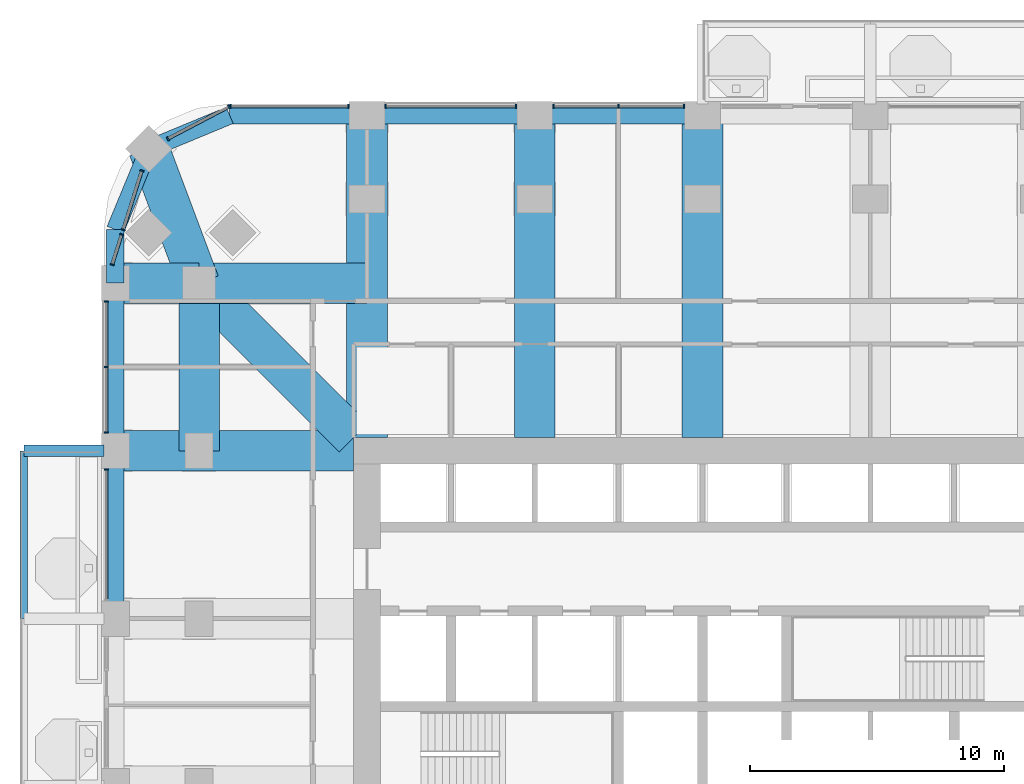
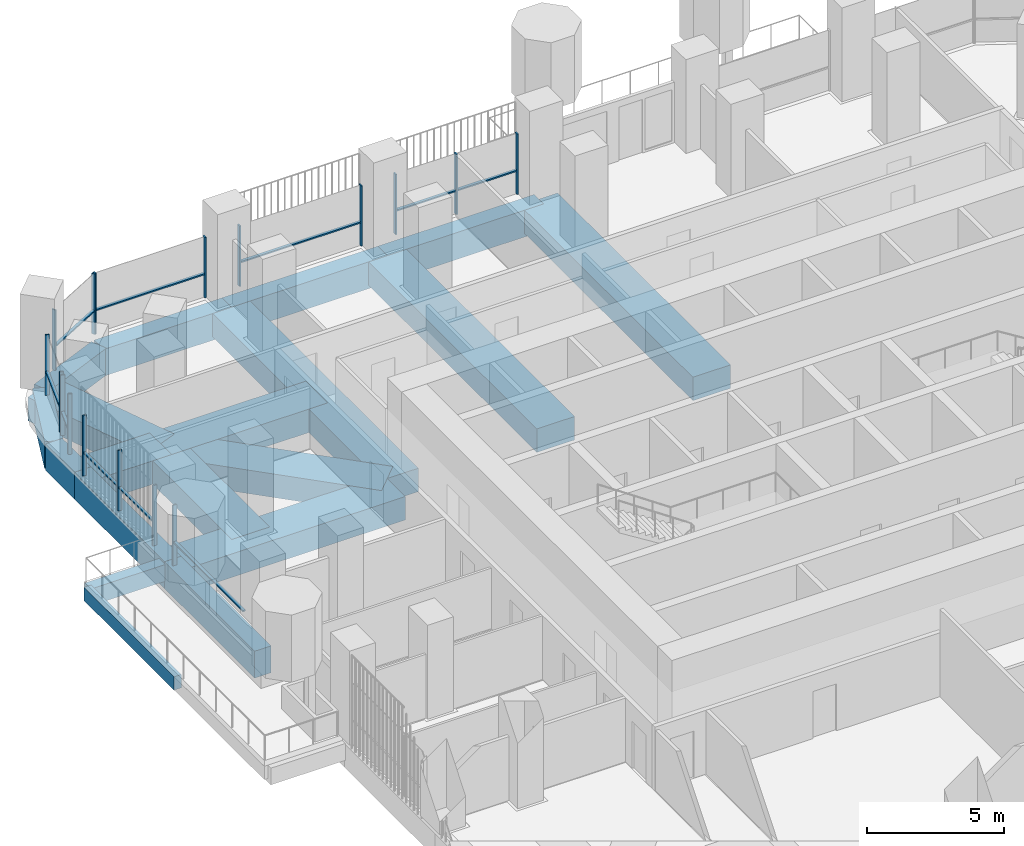
# One storey, part 6 of 23: 27 members, 19 beams, 8 elements without a shape of their own.
"""IFC4 building model written with IfcOpenShell, lengths in metres."""

from ifc_helpers import new_model, si_unit, direction, frame, origin, origin_2d, place, context, subcontext, project, spatial, rectangle, extrude, material, material_profile, profile_set, type_object, element, aggregate, save


model = new_model("IFC4")

# Units and contexts
model_context = context("Model", 3, precision=1e-05, world=origin(), true_north=direction((0.0, 1.0)))
body_context = subcontext(model_context, "Body", "Model", "MODEL_VIEW")
ifc_project = project(units=[si_unit("LENGTHUNIT", "METRE"), si_unit("AREAUNIT", "SQUARE_METRE"), si_unit("VOLUMEUNIT", "CUBIC_METRE"), si_unit("PLANEANGLEUNIT", "RADIAN"), si_unit("MASSUNIT", "GRAM", prefix="KILO")], contexts=[model_context])

# Site, building, storey
site_placement = place(None, origin())
site = spatial("IfcSite", under=ifc_project, at=site_placement, CompositionType="ELEMENT")
building_placement = place(site_placement, origin())
building = spatial("IfcBuilding", under=site, at=building_placement, Name="Cobogo Forest Laboratory Tower", CompositionType="ELEMENT")
storey_placement = place(building_placement, frame((0.0, 0.0, 128.39990234375)))
storey = spatial("IfcBuildingStorey", under=building, at=storey_placement, Name="L29", CompositionType="ELEMENT", Elevation=128.39990234375)

# Beams
ifc_material_1 = material(Name="Concrete HA-40 (C40/50)", Category="concrete")
ifc_material_profile_1 = material_profile(ifc_material_1, rectangle(XDim=0.449951171875, YDim=0.75, at=origin_2d()), Name="RC 450x750")
ifc_profile_set_1 = profile_set([ifc_material_profile_1], Name="Concrete HA-40 (C40/50)")
beam_type_1 = type_object("IfcBeamType", Name="Balcony cantilever beam 450x750", PredefinedType="BEAM", material=ifc_profile_set_1)
beam_1_placement = place(storey_placement, frame((2.85009765625, 33.0, -0.625), z_axis=(-1.0, 0.0, 0.0), x_axis=(0.0, -1.0, 0.0)))
element("IfcBeam", 1, at=beam_1_placement, inside=storey, type_object=beam_type_1, Name="CB1 BAL-W1-C3 L29", PredefinedType="BEAM", context=body_context, shape_type="SweptSolid", body=[
    extrude(rectangle(XDim=0.449951171875, YDim=0.75, at=origin_2d()), origin(), (0.0, 0.0, 1.0), 3.150146484375),
])
ifc_material_profile_2 = material_profile(ifc_material_1, rectangle(XDim=0.300048828125, YDim=0.60009765625, at=origin_2d()), Name="RC 300x600")
ifc_profile_set_2 = profile_set([ifc_material_profile_2], Name="Concrete HA-40 (C40/50)")
beam_type_2 = type_object("IfcBeamType", Name="Balcony edge beam 300x600", PredefinedType="BEAM", material=ifc_profile_set_2)
beam_2_placement = place(storey_placement, frame((-0.300048828125, 26.39990234375, -0.5498046875), z_axis=(0.0, 1.0, 0.0), x_axis=(-1.0, 0.0, 0.0)))
element("IfcBeam", 2, at=beam_2_placement, inside=storey, type_object=beam_type_2, Name="BB1 BAL-W1-T2 L29", PredefinedType="BEAM", context=body_context, shape_type="SweptSolid", body=[
    extrude(rectangle(XDim=0.300048828125, YDim=0.60009765625, at=origin_2d()), origin(), (0.0, 0.0, 1.0), 6.60009765625),
])
ifc_material_2 = material(Name="Concrete HA-50 (C50/60)", Category="concrete")
ifc_material_profile_3 = material_profile(ifc_material_2, rectangle(XDim=1.60009765625, YDim=1.050048828125, at=origin_2d()), Name="RC 1600x1050")
ifc_profile_set_3 = profile_set([ifc_material_profile_3], Name="Concrete HA-50 (C50/60)")
beam_type_3 = type_object("IfcBeamType", Name="Laboratory floor wide beam 1600x1050", PredefinedType="BEAM", material=ifc_profile_set_3)
for number, where, z_axis, x_axis, name in (
    (3, (13.199951171875, 33.52490234375, -0.824951171875), (0.0, 1.0, 0.0), (-1.0, 0.0, 0.0), "RB8 R-3-N L29"),
    (4, (19.800048828125, 33.52490234375, -0.824951171875), (0.0, 1.0, 0.0), (-1.0, 0.0, 0.0), "RB8 R-4-N L29"),
    (5, (26.39990234375, 33.52490234375, -0.824951171875), (0.0, 1.0, 0.0), (-1.0, 0.0, 0.0), "RB8 R-5-N L29"),
):
    element("IfcBeam", number, at=place(storey_placement, frame(where, z_axis=z_axis, x_axis=x_axis)), inside=storey, type_object=beam_type_3, Name=name, PredefinedType="BEAM", context=body_context, shape_type="SweptSolid", body=[
        extrude(rectangle(XDim=1.60009765625, YDim=1.050048828125, at=origin_2d()), origin(), (0.0, 0.0, 1.0), 12.675048828125),
    ])
beam_3_placement = place(storey_placement, frame((12.675048828125, 33.0, -0.824951171875), z_axis=(-1.0, 0.0, 0.0), x_axis=(0.0, -1.0, 0.0)))
element("IfcBeam", 6, at=beam_3_placement, inside=storey, type_object=beam_type_3, Name="RB8 R-F-W L29", PredefinedType="BEAM", context=body_context, shape_type="SweptSolid", body=[
    extrude(rectangle(XDim=1.60009765625, YDim=1.050048828125, at=origin_2d()), origin(), (0.0, 0.0, 1.0), 9.375),
])
beam_4_placement = place(storey_placement, frame((6.60009765625, 39.60009765625, -0.824951171875), z_axis=(0.0, -1.0, 0.0), x_axis=(1.0, 0.0, 0.0)))
element("IfcBeam", 7, at=beam_4_placement, inside=storey, type_object=beam_type_3, Name="RB8 G-NW-XC L29", PredefinedType="BEAM", context=body_context, shape_type="SweptSolid", body=[
    extrude(rectangle(XDim=1.60009765625, YDim=1.050048828125, at=origin_2d()), origin(), (0.0, 0.0, 1.0), 6.60009765625),
])
beam_5_placement = place(storey_placement, frame((3.300048828125, 39.60009765625, -0.824951171875), z_axis=(1.0, 0.0, 0.0), x_axis=(0.0, 1.0, 0.0)))
element("IfcBeam", 8, at=beam_5_placement, inside=storey, type_object=beam_type_3, Name="RB8 G-NW-YF L29", PredefinedType="BEAM", context=body_context, shape_type="SweptSolid", body=[
    extrude(rectangle(XDim=1.60009765625, YDim=1.050048828125, at=origin_2d()), origin(), (0.0, 0.0, 1.0), 3.300048828125),
])
beam_6_placement = place(storey_placement, frame((6.60009765625, 39.60009765625, -0.824951171875), z_axis=(1.0, 0.0, 0.0), x_axis=(0.0, 1.0, 0.0)))
element("IfcBeam", 9, at=beam_6_placement, inside=storey, type_object=beam_type_3, Name="RB8 G-NW-YC L29", PredefinedType="BEAM", context=body_context, shape_type="SweptSolid", body=[
    extrude(rectangle(XDim=1.60009765625, YDim=1.050048828125, at=origin_2d()), origin(), (0.0, 0.0, 1.0), 6.599853515625),
])
beam_7_placement = place(storey_placement, frame((4.617919921875, 44.882080078125, -0.824951171875), z_axis=(0.351346325373, -0.936245565889, 0.0), x_axis=(0.936245565889, 0.351346325373, 0.0)))
element("IfcBeam", 10, at=beam_7_placement, inside=storey, type_object=beam_type_3, Name="RB8 G-NW-D1 L29", PredefinedType="BEAM", context=body_context, shape_type="SweptSolid", body=[
    extrude(rectangle(XDim=1.60009765625, YDim=1.050048828125, at=origin_2d()), origin(), (0.0, 0.0, 1.0), 5.6416015625),
])
beam_8_placement = place(storey_placement, frame((6.60009765625, 39.60009765625, -0.824951171875), z_axis=(0.707092572697, -0.70712098939, 0.0), x_axis=(0.70712098939, 0.707092572697, 0.0)))
element("IfcBeam", 11, at=beam_8_placement, inside=storey, type_object=beam_type_3, Name="RB8 G-NW-D2 L29", PredefinedType="BEAM", context=body_context, shape_type="SweptSolid", body=[
    extrude(rectangle(XDim=1.60009765625, YDim=1.050048828125, at=origin_2d()), origin(), (0.0, 0.0, 1.0), 8.591552734375),
])

# Curtain wall, members
ifc_material_3 = material(Name="Aluminium curtain wall", Category="aluminium")
curtain_wall_type = type_object("IfcCurtainWallType", Name="CW-1 unitised curtain wall, clear glazing, laboratory floors zones A and B", PredefinedType="USERDEFINED", material=ifc_material_3)
curtain_wall_1_placement = place(storey_placement, origin())
curtain_wall_1 = element("IfcCurtainWall", 12, at=curtain_wall_1_placement, inside=storey, type_object=curtain_wall_type, Name="Curtain wall 21 L29", ObjectType="UNITISED CURTAIN WALL", PredefinedType="USERDEFINED")
ifc_material_4 = material(Name="Aluminium mullion", Category="aluminium")
ifc_material_profile_4 = material_profile(ifc_material_4, rectangle(XDim=0.06005859375, YDim=0.159912109375, at=origin_2d()), Name="AL 60x160")
ifc_profile_set_4 = profile_set([ifc_material_profile_4], Name="Aluminium mullion")
member_type_1 = type_object("IfcMemberType", Name="MU-1 aluminium mullion 60x160", PredefinedType="MULLION", material=ifc_profile_set_4)
member_1_placement = place(storey_placement, frame((25.669921875, 46.550048828125, 0.0), z_axis=(0.0, 0.0, 1.0), x_axis=(-1.0, 0.0, 0.0)))
member_1 = element("IfcMember", 13, at=member_1_placement, type_object=member_type_1, Name="CW-1 mullion 1", PredefinedType="MULLION", context=body_context, shape_type="SweptSolid", body=[
    extrude(rectangle(XDim=0.06005859375, YDim=0.159912109375, at=origin_2d()), origin(), (0.0, 0.0, 1.0), 2.7001953125),
])
member_2_placement = place(storey_placement, frame((23.10009765625, 46.550048828125, 0.0), z_axis=(0.0, 0.0, 1.0), x_axis=(-1.0, 0.0, 0.0)))
member_2 = element("IfcMember", 14, at=member_2_placement, type_object=member_type_1, Name="CW-1 mullion 2", PredefinedType="MULLION", context=body_context, shape_type="SweptSolid", body=[
    extrude(rectangle(XDim=0.06005859375, YDim=0.159912109375, at=origin_2d()), origin(), (0.0, 0.0, 1.0), 2.7001953125),
])
member_3_placement = place(storey_placement, frame((20.530029296875, 46.550048828125, 0.0), z_axis=(0.0, 0.0, 1.0), x_axis=(-1.0, 0.0, 0.0)))
member_3 = element("IfcMember", 15, at=member_3_placement, type_object=member_type_1, Name="CW-1 mullion 3", PredefinedType="MULLION", context=body_context, shape_type="SweptSolid", body=[
    extrude(rectangle(XDim=0.06005859375, YDim=0.159912109375, at=origin_2d()), origin(), (0.0, 0.0, 1.0), 2.7001953125),
])

curtain_wall_2_placement = place(storey_placement, origin())
curtain_wall_2 = element("IfcCurtainWall", 16, at=curtain_wall_2_placement, inside=storey, type_object=curtain_wall_type, Name="Curtain wall 22 L29", ObjectType="UNITISED CURTAIN WALL", PredefinedType="USERDEFINED")
member_4_placement = place(storey_placement, frame((19.070068359375, 46.550048828125, 0.0), z_axis=(0.0, 0.0, 1.0), x_axis=(-1.0, 0.0, 0.0)))
member_4 = element("IfcMember", 17, at=member_4_placement, type_object=member_type_1, Name="CW-1 mullion 1", PredefinedType="MULLION", context=body_context, shape_type="SweptSolid", body=[
    extrude(rectangle(XDim=0.06005859375, YDim=0.159912109375, at=origin_2d()), origin(), (0.0, 0.0, 1.0), 2.7001953125),
])
member_5_placement = place(storey_placement, frame((13.929931640625, 46.550048828125, 0.0), z_axis=(0.0, 0.0, 1.0), x_axis=(-1.0, 0.0, 0.0)))
member_5 = element("IfcMember", 18, at=member_5_placement, type_object=member_type_1, Name="CW-1 mullion 2", PredefinedType="MULLION", context=body_context, shape_type="SweptSolid", body=[
    extrude(rectangle(XDim=0.06005859375, YDim=0.159912109375, at=origin_2d()), origin(), (0.0, 0.0, 1.0), 2.7001953125),
])

curtain_wall_3_placement = place(storey_placement, origin())
curtain_wall_3 = element("IfcCurtainWall", 19, at=curtain_wall_3_placement, inside=storey, type_object=curtain_wall_type, Name="Curtain wall 23 L29", ObjectType="UNITISED CURTAIN WALL", PredefinedType="USERDEFINED")
member_6_placement = place(storey_placement, frame((12.469970703125, 46.550048828125, 0.0), z_axis=(0.0, 0.0, 1.0), x_axis=(-1.0, 0.0, 0.0)))
member_6 = element("IfcMember", 20, at=member_6_placement, type_object=member_type_1, Name="CW-1 mullion 1", PredefinedType="MULLION", context=body_context, shape_type="SweptSolid", body=[
    extrude(rectangle(XDim=0.06005859375, YDim=0.159912109375, at=origin_2d()), origin(), (0.0, 0.0, 1.0), 2.7001953125),
])
member_7_placement = place(storey_placement, frame((7.830078125, 46.550048828125, 0.0), z_axis=(0.0, 0.0, 1.0), x_axis=(-1.0, 0.0, 0.0)))
member_7 = element("IfcMember", 21, at=member_7_placement, type_object=member_type_1, Name="CW-1 mullion 2", PredefinedType="MULLION", context=body_context, shape_type="SweptSolid", body=[
    extrude(rectangle(XDim=0.06005859375, YDim=0.159912109375, at=origin_2d()), origin(), (0.0, 0.0, 1.0), 2.7001953125),
])

curtain_wall_4_placement = place(storey_placement, origin())
curtain_wall_4 = element("IfcCurtainWall", 22, at=curtain_wall_4_placement, inside=storey, type_object=curtain_wall_type, Name="Curtain wall 24 L29", ObjectType="UNITISED CURTAIN WALL", PredefinedType="USERDEFINED")
member_8_placement = place(storey_placement, frame((7.7734375, 46.5361328125, 0.0), z_axis=(0.0, 0.0, 1.0), x_axis=(-0.885686547075, -0.464283685186, 0.0)))
member_8 = element("IfcMember", 23, at=member_8_placement, type_object=member_type_1, Name="CW-1 mullion 1", PredefinedType="MULLION", context=body_context, shape_type="SweptSolid", body=[
    extrude(rectangle(XDim=0.06005859375, YDim=0.159912109375, at=origin_2d()), origin(), (0.0, 0.0, 1.0), 2.7001953125),
])
member_9_placement = place(storey_placement, frame((5.368408203125, 45.275390625, 0.0), z_axis=(0.0, 0.0, 1.0), x_axis=(-0.885686547075, -0.464283685186, 0.0)))
member_9 = element("IfcMember", 24, at=member_9_placement, type_object=member_type_1, Name="CW-1 mullion 2", PredefinedType="MULLION", context=body_context, shape_type="SweptSolid", body=[
    extrude(rectangle(XDim=0.06005859375, YDim=0.159912109375, at=origin_2d()), origin(), (0.0, 0.0, 1.0), 2.7001953125),
])

curtain_wall_5_placement = place(storey_placement, origin())
curtain_wall_5 = element("IfcCurtainWall", 25, at=curtain_wall_5_placement, inside=storey, type_object=curtain_wall_type, Name="Curtain wall 25 L29", ObjectType="UNITISED CURTAIN WALL", PredefinedType="USERDEFINED")
member_10_placement = place(storey_placement, frame((4.34423828125, 44.01513671875, 0.0), z_axis=(0.0, 0.0, 1.0), x_axis=(-0.301135291996, -0.953581425949, 0.0)))
member_10 = element("IfcMember", 26, at=member_10_placement, type_object=member_type_1, Name="CW-1 mullion 1", PredefinedType="MULLION", context=body_context, shape_type="SweptSolid", body=[
    extrude(rectangle(XDim=0.06005859375, YDim=0.159912109375, at=origin_2d()), origin(), (0.0, 0.0, 1.0), 2.7001953125),
])
member_11_placement = place(storey_placement, frame((3.613037109375, 41.69970703125, 0.0), z_axis=(0.0, 0.0, 1.0), x_axis=(-0.301135291996, -0.953581425949, 0.0)))
member_11 = element("IfcMember", 27, at=member_11_placement, type_object=member_type_1, Name="CW-1 mullion 2", PredefinedType="MULLION", context=body_context, shape_type="SweptSolid", body=[
    extrude(rectangle(XDim=0.06005859375, YDim=0.159912109375, at=origin_2d()), origin(), (0.0, 0.0, 1.0), 2.7001953125),
])

curtain_wall_6_placement = place(storey_placement, origin())
curtain_wall_6 = element("IfcCurtainWall", 28, at=curtain_wall_6_placement, inside=storey, type_object=curtain_wall_type, Name="Curtain wall 26 L29", ObjectType="UNITISED CURTAIN WALL", PredefinedType="USERDEFINED")
member_12_placement = place(storey_placement, frame((3.55224609375, 41.507080078125, 0.0), z_axis=(0.0, 0.0, 1.0), x_axis=(-0.301135356805, -0.953581405483, 0.0)))
member_12 = element("IfcMember", 29, at=member_12_placement, type_object=member_type_1, Name="CW-1 mullion 1", PredefinedType="MULLION", context=body_context, shape_type="SweptSolid", body=[
    extrude(rectangle(XDim=0.06005859375, YDim=0.159912109375, at=origin_2d()), origin(), (0.0, 0.0, 1.0), 2.7001953125),
])
member_13_placement = place(storey_placement, frame((3.18017578125, 40.32861328125, 0.0), z_axis=(0.0, 0.0, 1.0), x_axis=(-0.301135356805, -0.953581405483, 0.0)))
member_13 = element("IfcMember", 30, at=member_13_placement, type_object=member_type_1, Name="CW-1 mullion 2", PredefinedType="MULLION", context=body_context, shape_type="SweptSolid", body=[
    extrude(rectangle(XDim=0.06005859375, YDim=0.159912109375, at=origin_2d()), origin(), (0.0, 0.0, 1.0), 2.7001953125),
])

curtain_wall_7_placement = place(storey_placement, origin())
curtain_wall_7 = element("IfcCurtainWall", 31, at=curtain_wall_7_placement, inside=storey, type_object=curtain_wall_type, Name="Curtain wall 27 L29", ObjectType="UNITISED CURTAIN WALL", PredefinedType="USERDEFINED")
member_14_placement = place(storey_placement, frame((2.949951171875, 38.8701171875, 0.0), z_axis=(0.0, 0.0, 1.0), x_axis=(0.0, -1.0, 0.0)))
member_14 = element("IfcMember", 32, at=member_14_placement, type_object=member_type_1, Name="CW-1 mullion 1", PredefinedType="MULLION", context=body_context, shape_type="SweptSolid", body=[
    extrude(rectangle(XDim=0.06005859375, YDim=0.159912109375, at=origin_2d()), origin(), (0.0, 0.0, 1.0), 2.7001953125),
])
member_15_placement = place(storey_placement, frame((2.949951171875, 36.300048828125, 0.0), z_axis=(0.0, 0.0, 1.0), x_axis=(0.0, -1.0, 0.0)))
member_15 = element("IfcMember", 33, at=member_15_placement, type_object=member_type_1, Name="CW-1 mullion 2", PredefinedType="MULLION", context=body_context, shape_type="SweptSolid", body=[
    extrude(rectangle(XDim=0.06005859375, YDim=0.159912109375, at=origin_2d()), origin(), (0.0, 0.0, 1.0), 2.7001953125),
])
member_16_placement = place(storey_placement, frame((2.949951171875, 33.72998046875, 0.0), z_axis=(0.0, 0.0, 1.0), x_axis=(0.0, -1.0, 0.0)))
member_16 = element("IfcMember", 34, at=member_16_placement, type_object=member_type_1, Name="CW-1 mullion 3", PredefinedType="MULLION", context=body_context, shape_type="SweptSolid", body=[
    extrude(rectangle(XDim=0.06005859375, YDim=0.159912109375, at=origin_2d()), origin(), (0.0, 0.0, 1.0), 2.7001953125),
])

# Curtain wall, member
curtain_wall_8_placement = place(storey_placement, origin())
curtain_wall_8 = element("IfcCurtainWall", 35, at=curtain_wall_8_placement, inside=storey, type_object=curtain_wall_type, Name="Curtain wall 28 L29", ObjectType="UNITISED CURTAIN WALL", PredefinedType="USERDEFINED")
member_17_placement = place(storey_placement, frame((2.949951171875, 32.27001953125, 0.0), z_axis=(0.0, 0.0, 1.0), x_axis=(0.0, -1.0, 0.0)))
member_17 = element("IfcMember", 36, at=member_17_placement, type_object=member_type_1, Name="CW-1 mullion 1", PredefinedType="MULLION", context=body_context, shape_type="SweptSolid", body=[
    extrude(rectangle(XDim=0.06005859375, YDim=0.159912109375, at=origin_2d()), origin(), (0.0, 0.0, 1.0), 2.7001953125),
])

# Beams
ifc_material_profile_5 = material_profile(ifc_material_1, rectangle(XDim=0.699951171875, YDim=1.199951171875, at=origin_2d()), Name="RC 700x1200")
ifc_profile_set_5 = profile_set([ifc_material_profile_5], Name="Concrete HA-40 (C40/50)")
beam_type_4 = type_object("IfcBeamType", Name="Perimeter edge beam 700x1200", PredefinedType="BEAM", material=ifc_profile_set_5)
beam_9_placement = place(storey_placement, frame((13.199951171875, 46.199951171875, -0.89990234375), z_axis=(1.0, 0.0, 0.0), x_axis=(0.0, 1.0, 0.0)))
element("IfcBeam", 37, at=beam_9_placement, inside=storey, type_object=beam_type_4, Name="EB1 E-N1 L29", PredefinedType="BEAM", context=body_context, shape_type="SweptSolid", body=[
    extrude(rectangle(XDim=0.699951171875, YDim=1.199951171875, at=origin_2d()), origin(), (0.0, 0.0, 1.0), 6.60009765625),
])
beam_10_placement = place(storey_placement, frame((19.800048828125, 46.199951171875, -0.89990234375), z_axis=(1.0, 0.0, 0.0), x_axis=(0.0, 1.0, 0.0)))
element("IfcBeam", 38, at=beam_10_placement, inside=storey, type_object=beam_type_4, Name="EB1 E-N2 L29", PredefinedType="BEAM", context=body_context, shape_type="SweptSolid", body=[
    extrude(rectangle(XDim=0.699951171875, YDim=1.199951171875, at=origin_2d()), origin(), (0.0, 0.0, 1.0), 6.599853515625),
])
for number, where, z_axis, x_axis, name in (
    (39, (3.300048828125, 26.39990234375, -0.89990234375), (0.0, 1.0, 0.0), (-1.0, 0.0, 0.0), "EB1 E-W4 L29"),
    (40, (3.300048828125, 33.0, -0.89990234375), (0.0, 1.0, 0.0), (-1.0, 0.0, 0.0), "EB1 E-W5 L29"),
):
    element("IfcBeam", number, at=place(storey_placement, frame(where, z_axis=z_axis, x_axis=x_axis)), inside=storey, type_object=beam_type_4, Name=name, PredefinedType="BEAM", context=body_context, shape_type="SweptSolid", body=[
        extrude(rectangle(XDim=0.699951171875, YDim=1.199951171875, at=origin_2d()), origin(), (0.0, 0.0, 1.0), 6.60009765625),
    ])
beam_11_placement = place(storey_placement, frame((13.199951171875, 46.199951171875, -0.89990234375), z_axis=(-1.0, 0.0, 0.0), x_axis=(0.0, -1.0, 0.0)))
element("IfcBeam", 41, at=beam_11_placement, inside=storey, type_object=beam_type_4, Name="EB1 E-NWN1 L29", PredefinedType="BEAM", context=body_context, shape_type="SweptSolid", body=[
    extrude(rectangle(XDim=0.699951171875, YDim=1.199951171875, at=origin_2d()), origin(), (0.0, 0.0, 1.0), 5.39990234375),
])
beam_12_placement = place(storey_placement, frame((7.800048828125, 46.199951171875, -0.89990234375), z_axis=(-0.923901072997, -0.382631424892, 0.0), x_axis=(0.382631424892, -0.923901072997, 0.0)))
element("IfcBeam", 42, at=beam_12_placement, inside=storey, type_object=beam_type_4, Name="EB1 E-NWN2 L29", PredefinedType="BEAM", context=body_context, shape_type="SweptSolid", body=[
    extrude(rectangle(XDim=0.699951171875, YDim=1.199951171875, at=origin_2d()), origin(), (0.0, 0.0, 1.0), 3.4443359375),
])
beam_13_placement = place(storey_placement, frame((3.300048828125, 39.60009765625, -0.89990234375), z_axis=(0.0, 1.0, 0.0), x_axis=(-1.0, 0.0, 0.0)))
element("IfcBeam", 43, at=beam_13_placement, inside=storey, type_object=beam_type_4, Name="EB1 E-NWW1 L29", PredefinedType="BEAM", context=body_context, shape_type="SweptSolid", body=[
    extrude(rectangle(XDim=0.699951171875, YDim=1.199951171875, at=origin_2d()), origin(), (0.0, 0.0, 1.0), 2.099853515625),
])
beam_14_placement = place(storey_placement, frame((3.300048828125, 41.699951171875, -0.89990234375), z_axis=(0.382631424892, 0.923901072997, 0.0), x_axis=(-0.923901072997, 0.382631424892, 0.0)))
element("IfcBeam", 44, at=beam_14_placement, inside=storey, type_object=beam_type_4, Name="EB1 E-NWW2 L29", PredefinedType="BEAM", context=body_context, shape_type="SweptSolid", body=[
    extrude(rectangle(XDim=0.699951171875, YDim=1.199951171875, at=origin_2d()), origin(), (0.0, 0.0, 1.0), 3.4443359375),
])

# Member
ifc_material_5 = material(Name="Aluminium transom", Category="aluminium")
ifc_material_profile_6 = material_profile(ifc_material_5, rectangle(XDim=0.1201171875, YDim=0.06005859375, at=origin_2d()), Name="AL 60x120")
ifc_profile_set_6 = profile_set([ifc_material_profile_6], Name="Aluminium transom")
member_type_2 = type_object("IfcMemberType", Name="TR-1 aluminium transom 60x120", PredefinedType="USERDEFINED", material=ifc_profile_set_6)
member_18_placement = place(storey_placement, frame((25.639892578125, 46.550048828125, 1.050048828125), z_axis=(-1.0, 0.0, 0.0), x_axis=(0.0, -1.0, 0.0)))
member_18 = element("IfcMember", 45, at=member_18_placement, type_object=member_type_2, Name="CW-1 transom 1.1", ObjectType="TRANSOM", PredefinedType="USERDEFINED", context=body_context, shape_type="SweptSolid", body=[
    extrude(rectangle(XDim=0.1201171875, YDim=0.06005859375, at=origin_2d()), origin(), (0.0, 0.0, 1.0), 2.510009765625),
])

member_19_placement = place(storey_placement, frame((23.070068359375, 46.550048828125, 1.050048828125), z_axis=(-1.0, 0.0, 0.0), x_axis=(0.0, -1.0, 0.0)))
member_19 = element("IfcMember", 46, at=member_19_placement, type_object=member_type_2, Name="CW-1 transom 2.1", ObjectType="TRANSOM", PredefinedType="USERDEFINED", context=body_context, shape_type="SweptSolid", body=[
    extrude(rectangle(XDim=0.1201171875, YDim=0.06005859375, at=origin_2d()), origin(), (0.0, 0.0, 1.0), 2.510009765625),
])

aggregate(curtain_wall_1, [member_1, member_2, member_3, member_18, member_19])

member_20_placement = place(storey_placement, frame((19.0400390625, 46.550048828125, 1.050048828125), z_axis=(-1.0, 0.0, 0.0), x_axis=(0.0, -1.0, 0.0)))
member_20 = element("IfcMember", 47, at=member_20_placement, type_object=member_type_2, Name="CW-1 transom 1.1", ObjectType="TRANSOM", PredefinedType="USERDEFINED", context=body_context, shape_type="SweptSolid", body=[
    extrude(rectangle(XDim=0.1201171875, YDim=0.06005859375, at=origin_2d()), origin(), (0.0, 0.0, 1.0), 5.080078125),
])

aggregate(curtain_wall_2, [member_4, member_5, member_20])

member_21_placement = place(storey_placement, frame((12.43994140625, 46.550048828125, 1.050048828125), z_axis=(-1.0, 0.0, 0.0), x_axis=(0.0, -1.0, 0.0)))
member_21 = element("IfcMember", 48, at=member_21_placement, type_object=member_type_2, Name="CW-1 transom 1.1", ObjectType="TRANSOM", PredefinedType="USERDEFINED", context=body_context, shape_type="SweptSolid", body=[
    extrude(rectangle(XDim=0.1201171875, YDim=0.06005859375, at=origin_2d()), origin(), (0.0, 0.0, 1.0), 4.579833984375),
])

aggregate(curtain_wall_3, [member_6, member_7, member_21])

member_22_placement = place(storey_placement, frame((7.746826171875, 46.522216796875, 1.050048828125), z_axis=(-0.885694740493, -0.464268054753, 0.0), x_axis=(0.464268054753, -0.885694740493, 0.0)))
member_22 = element("IfcMember", 49, at=member_22_placement, type_object=member_type_2, Name="CW-1 transom 1.1", ObjectType="TRANSOM", PredefinedType="USERDEFINED", context=body_context, shape_type="SweptSolid", body=[
    extrude(rectangle(XDim=0.1201171875, YDim=0.06005859375, at=origin_2d()), origin(), (0.0, 0.0, 1.0), 2.655517578125),
])

aggregate(curtain_wall_4, [member_8, member_9, member_22])

member_23_placement = place(storey_placement, frame((4.335205078125, 43.986328125, 1.050048828125), z_axis=(-0.301156039198, -0.953574873859, 0.0), x_axis=(0.953574873859, -0.301156039198, 0.0)))
member_23 = element("IfcMember", 50, at=member_23_placement, type_object=member_type_2, Name="CW-1 transom 1.1", ObjectType="TRANSOM", PredefinedType="USERDEFINED", context=body_context, shape_type="SweptSolid", body=[
    extrude(rectangle(XDim=0.1201171875, YDim=0.06005859375, at=origin_2d()), origin(), (0.0, 0.0, 1.0), 2.367919921875),
])

aggregate(curtain_wall_5, [member_10, member_11, member_23])

member_24_placement = place(storey_placement, frame((3.543212890625, 41.478515625, 1.050048828125), z_axis=(-0.301051874343, -0.953607764731, 0.0), x_axis=(0.953607764731, -0.301051874343, 0.0)))
member_24 = element("IfcMember", 51, at=member_24_placement, type_object=member_type_2, Name="CW-1 transom 1.1", ObjectType="TRANSOM", PredefinedType="USERDEFINED", context=body_context, shape_type="SweptSolid", body=[
    extrude(rectangle(XDim=0.1201171875, YDim=0.06005859375, at=origin_2d()), origin(), (0.0, 0.0, 1.0), 1.17578125),
])

aggregate(curtain_wall_6, [member_12, member_13, member_24])

member_25_placement = place(storey_placement, frame((2.949951171875, 38.840087890625, 1.050048828125), z_axis=(0.0, -1.0, 0.0), x_axis=(1.0, 0.0, 0.0)))
member_25 = element("IfcMember", 52, at=member_25_placement, type_object=member_type_2, Name="CW-1 transom 1.1", ObjectType="TRANSOM", PredefinedType="USERDEFINED", context=body_context, shape_type="SweptSolid", body=[
    extrude(rectangle(XDim=0.1201171875, YDim=0.06005859375, at=origin_2d()), origin(), (0.0, 0.0, 1.0), 2.510009765625),
])

member_26_placement = place(storey_placement, frame((2.949951171875, 36.27001953125, 1.050048828125), z_axis=(0.0, -1.0, 0.0), x_axis=(1.0, 0.0, 0.0)))
member_26 = element("IfcMember", 53, at=member_26_placement, type_object=member_type_2, Name="CW-1 transom 2.1", ObjectType="TRANSOM", PredefinedType="USERDEFINED", context=body_context, shape_type="SweptSolid", body=[
    extrude(rectangle(XDim=0.1201171875, YDim=0.06005859375, at=origin_2d()), origin(), (0.0, 0.0, 1.0), 2.510009765625),
])

aggregate(curtain_wall_7, [member_14, member_15, member_16, member_25, member_26])

member_27_placement = place(storey_placement, frame((2.949951171875, 32.239990234375, 1.050048828125), z_axis=(0.0, -1.0, 0.0), x_axis=(1.0, 0.0, 0.0)))
member_27 = element("IfcMember", 54, at=member_27_placement, type_object=member_type_2, Name="CW-1 transom 1.1", ObjectType="TRANSOM", PredefinedType="USERDEFINED", context=body_context, shape_type="SweptSolid", body=[
    extrude(rectangle(XDim=0.1201171875, YDim=0.06005859375, at=origin_2d()), origin(), (0.0, 0.0, 1.0), 5.080078125),
])

aggregate(curtain_wall_8, [member_17, member_27])

save(model, "model.ifc")
